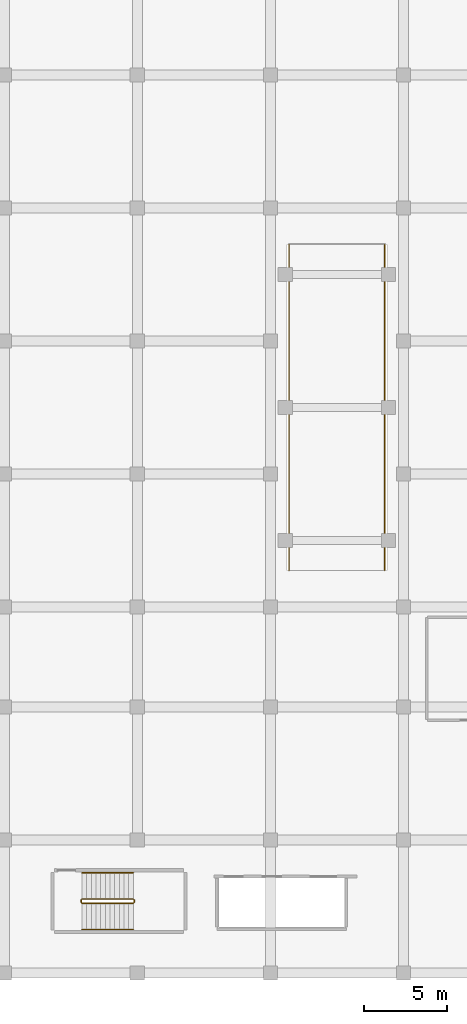
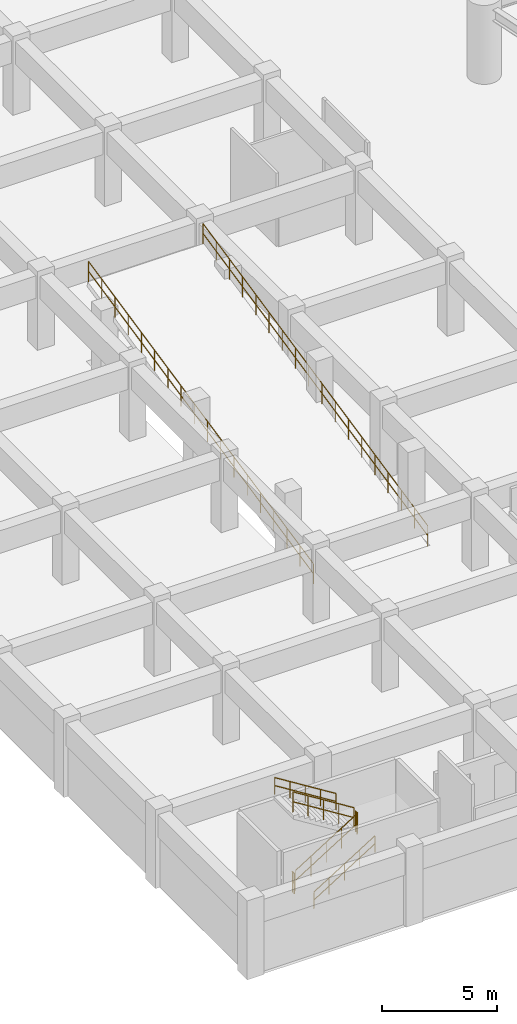
# One storey, part 15 of 20: 8 railings.
"""IFC4 building model written with IfcOpenShell, lengths in metres."""

from ifc_helpers import new_model, si_unit, direction, frame, origin, place, context, subcontext, project, spatial, polyline, outline, extrude, material, type_object, element, save


model = new_model("IFC4")

# Units and contexts
model_context = context("Model", 3, precision=1e-05, world=origin(), true_north=direction((0.0, 1.0)))
body_context = subcontext(model_context, "Body", "Model", "MODEL_VIEW")
ifc_project = project(units=[si_unit("LENGTHUNIT", "METRE"), si_unit("AREAUNIT", "SQUARE_METRE"), si_unit("VOLUMEUNIT", "CUBIC_METRE"), si_unit("PLANEANGLEUNIT", "RADIAN"), si_unit("MASSUNIT", "GRAM", prefix="KILO")], contexts=[model_context])

# Site, building, storey
site_placement = place(None, origin())
site = spatial("IfcSite", under=ifc_project, at=site_placement, CompositionType="ELEMENT")
building_placement = place(site_placement, origin())
building = spatial("IfcBuilding", under=site, at=building_placement, Name="Kelanora Arch Commons", CompositionType="ELEMENT")
storey_placement = place(building_placement, frame((0.0, 0.0, -4.199951171875)))
storey = spatial("IfcBuildingStorey", under=building, at=storey_placement, Name="B01", CompositionType="ELEMENT", Elevation=-4.199951171875)

# Railings
ifc_material_1 = material(Name="Painted steel stair well guard", Category="steel")
railing_type_1 = type_object("IfcRailingType", Name="RAIL-STAIR-GRD", PredefinedType="GUARDRAIL", material=ifc_material_1)
railing_1_placement = place(storey_placement, frame((8.679931640625, 8.18994140625, 0.175048828125)))
element("IfcRailing", 1, at=railing_1_placement, inside=storey, type_object=railing_type_1, Name="B01 ST-M1 stair guard 1", PredefinedType="GUARDRAIL", context=body_context, shape_type="SweptSolid", body=[
    extrude(outline(polyline([(0.02392578125, 0.0), (0.011962890625, 0.020751953125), (-0.011962890625, 0.020751953125), (-0.02392578125, 0.0), (-0.011962890625, -0.020751953125), (0.011962890625, -0.020751953125), (0.02392578125, 0.0)])), frame((0.0, 0.0, 1.076171875), z_axis=(0.848028513186, 0.0, 0.529950602248), x_axis=(0.0, 1.0, 0.0)), (0.0, 0.0, 1.0), 3.632080078125),
    extrude(outline(polyline([(0.02392578125, 0.0), (0.011962890625, 0.020751953125), (-0.011962890625, 0.020751953125), (-0.02392578125, 0.0), (-0.011962890625, -0.020751953125), (0.011962890625, -0.020751953125), (0.02392578125, 0.0)])), frame((0.0, 0.0, 0.550048828125), z_axis=(0.848028513186, 0.0, 0.529950602248), x_axis=(0.0, 1.0, 0.0)), (0.0, 0.0, 1.0), 3.632080078125),
    extrude(outline(polyline([(0.02099609375, 0.0), (0.010498046875, 0.01806640625), (-0.010498046875, 0.01806640625), (-0.02099609375, 0.0), (-0.010498046875, -0.01806640625), (0.010498046875, -0.01806640625), (0.02099609375, 0.0)])), origin(), (0.0, 0.0, 1.0), 1.052001953125),
    extrude(outline(polyline([(0.02099609375, 0.0), (0.010498046875, 0.01806640625), (-0.010498046875, 0.01806640625), (-0.02099609375, 0.0), (-0.010498046875, -0.01806640625), (0.010498046875, -0.01806640625), (0.02099609375, 0.0)])), frame((0.77001953125, 0.0, 0.481201171875)), (0.0, 0.0, 1.0), 1.052001953125),
    extrude(outline(polyline([(0.02099609375, 0.0), (0.010498046875, 0.01806640625), (-0.010498046875, 0.01806640625), (-0.02099609375, 0.0), (-0.010498046875, -0.01806640625), (0.010498046875, -0.01806640625), (0.02099609375, 0.0)])), frame((1.5400390625, 0.0, 0.96240234375)), (0.0, 0.0, 1.0), 1.052001953125),
    extrude(outline(polyline([(0.02099609375, 0.0), (0.010498046875, 0.01806640625), (-0.010498046875, 0.01806640625), (-0.02099609375, 0.0), (-0.010498046875, -0.01806640625), (0.010498046875, -0.01806640625), (0.02099609375, 0.0)])), frame((2.31005859375, 0.0, 1.443603515625)), (0.0, 0.0, 1.0), 1.052001953125),
    extrude(outline(polyline([(0.02099609375, 0.0), (0.010498046875, 0.01806640625), (-0.010498046875, 0.01806640625), (-0.02099609375, 0.0), (-0.010498046875, -0.01806640625), (0.010498046875, -0.01806640625), (0.02099609375, 0.0)])), frame((3.080078125, 0.0, 1.9248046875)), (0.0, 0.0, 1.0), 1.052001953125),
])
railing_2_placement = place(storey_placement, frame((11.81005859375, 8.239990234375, 2.099853515625)))
element("IfcRailing", 2, at=railing_2_placement, inside=storey, type_object=railing_type_1, Name="B01 ST-M1 stair guard 2", PredefinedType="GUARDRAIL", context=body_context, shape_type="SweptSolid", body=[
    extrude(outline(polyline([(0.02392578125, 0.0), (0.011962890625, 0.020751953125), (-0.011962890625, 0.020751953125), (-0.02392578125, 0.0), (-0.011962890625, -0.020751953125), (0.011962890625, -0.020751953125), (0.02392578125, 0.0)])), frame((0.0, 0.0, 1.076171875), z_axis=(0.0, 1.0, 0.0), x_axis=(-1.0, 0.0, 0.0)), (0.0, 0.0, 1.0), 0.14990234375),
    extrude(outline(polyline([(0.02392578125, 0.0), (0.011962890625, 0.020751953125), (-0.011962890625, 0.020751953125), (-0.02392578125, 0.0), (-0.011962890625, -0.020751953125), (0.011962890625, -0.020751953125), (0.02392578125, 0.0)])), frame((0.0, 0.0, 0.550048828125), z_axis=(0.0, 1.0, 0.0), x_axis=(-1.0, 0.0, 0.0)), (0.0, 0.0, 1.0), 0.14990234375),
    extrude(outline(polyline([(0.02099609375, 0.0), (0.010498046875, 0.01806640625), (-0.010498046875, 0.01806640625), (-0.02099609375, 0.0), (-0.010498046875, -0.01806640625), (0.010498046875, -0.01806640625), (0.02099609375, 0.0)])), origin(), (0.0, 0.0, 1.0), 1.052001953125),
    extrude(outline(polyline([(0.02099609375, 0.0), (0.010498046875, 0.01806640625), (-0.010498046875, 0.01806640625), (-0.02099609375, 0.0), (-0.010498046875, -0.01806640625), (0.010498046875, -0.01806640625), (0.02099609375, 0.0)])), frame((0.0, 0.14990234375, 0.0)), (0.0, 0.0, 1.0), 1.052001953125),
])
railing_3_placement = place(storey_placement, frame((11.760009765625, 8.43994140625, 2.27490234375)))
element("IfcRailing", 3, at=railing_3_placement, inside=storey, type_object=railing_type_1, Name="B01 ST-M1 stair guard 3", PredefinedType="GUARDRAIL", context=body_context, shape_type="SweptSolid", body=[
    extrude(outline(polyline([(0.02392578125, 0.0), (0.011962890625, 0.020751953125), (-0.011962890625, 0.020751953125), (-0.02392578125, 0.0), (-0.011962890625, -0.020751953125), (0.011962890625, -0.020751953125), (0.02392578125, 0.0)])), frame((0.0, 0.0, 1.076171875), z_axis=(-0.847998304005, 0.0, 0.529998940003), x_axis=(0.0, -1.0, 0.0)), (0.0, 0.0, 1.0), 3.632080078125),
    extrude(outline(polyline([(0.02392578125, 0.0), (0.011962890625, 0.020751953125), (-0.011962890625, 0.020751953125), (-0.02392578125, 0.0), (-0.011962890625, -0.020751953125), (0.011962890625, -0.020751953125), (0.02392578125, 0.0)])), frame((0.0, 0.0, 0.550048828125), z_axis=(-0.847998304005, 0.0, 0.529998940003), x_axis=(0.0, -1.0, 0.0)), (0.0, 0.0, 1.0), 3.632080078125),
    extrude(outline(polyline([(0.02099609375, 0.0), (0.010498046875, 0.01806640625), (-0.010498046875, 0.01806640625), (-0.02099609375, 0.0), (-0.010498046875, -0.01806640625), (0.010498046875, -0.01806640625), (0.02099609375, 0.0)])), origin(), (0.0, 0.0, 1.0), 1.052001953125),
    extrude(outline(polyline([(0.02099609375, 0.0), (0.010498046875, 0.01806640625), (-0.010498046875, 0.01806640625), (-0.02099609375, 0.0), (-0.010498046875, -0.01806640625), (0.010498046875, -0.01806640625), (0.02099609375, 0.0)])), frame((-0.77001953125, 0.0, 0.481201171875)), (0.0, 0.0, 1.0), 1.052001953125),
    extrude(outline(polyline([(0.02099609375, 0.0), (0.010498046875, 0.01806640625), (-0.010498046875, 0.01806640625), (-0.02099609375, 0.0), (-0.010498046875, -0.01806640625), (0.010498046875, -0.01806640625), (0.02099609375, 0.0)])), frame((-1.5400390625, 0.0, 0.96240234375)), (0.0, 0.0, 1.0), 1.052001953125),
    extrude(outline(polyline([(0.02099609375, 0.0), (0.010498046875, 0.01806640625), (-0.010498046875, 0.01806640625), (-0.02099609375, 0.0), (-0.010498046875, -0.01806640625), (0.010498046875, -0.01806640625), (0.02099609375, 0.0)])), frame((-2.31005859375, 0.0, 1.44384765625)), (0.0, 0.0, 1.0), 1.052001953125),
    extrude(outline(polyline([(0.02099609375, 0.0), (0.010498046875, 0.01806640625), (-0.010498046875, 0.01806640625), (-0.02099609375, 0.0), (-0.010498046875, -0.01806640625), (0.010498046875, -0.01806640625), (0.02099609375, 0.0)])), frame((-3.080078125, 0.0, 1.925048828125)), (0.0, 0.0, 1.0), 1.052001953125),
])
railing_4_placement = place(storey_placement, frame((8.6298828125, 8.239990234375, 0.0)))
element("IfcRailing", 4, at=railing_4_placement, inside=storey, type_object=railing_type_1, Name="B01 ST-M1 stair guard 4", PredefinedType="GUARDRAIL", context=body_context, shape_type="SweptSolid", body=[
    extrude(outline(polyline([(0.02392578125, 0.0), (0.011962890625, 0.020751953125), (-0.011962890625, 0.020751953125), (-0.02392578125, 0.0), (-0.011962890625, -0.020751953125), (0.011962890625, -0.020751953125), (0.02392578125, 0.0)])), frame((0.0, 0.0, 1.076171875), z_axis=(0.0, 1.0, 0.0), x_axis=(-1.0, 0.0, 0.0)), (0.0, 0.0, 1.0), 0.14990234375),
    extrude(outline(polyline([(0.02392578125, 0.0), (0.011962890625, 0.020751953125), (-0.011962890625, 0.020751953125), (-0.02392578125, 0.0), (-0.011962890625, -0.020751953125), (0.011962890625, -0.020751953125), (0.02392578125, 0.0)])), frame((0.0, 0.0, 0.550048828125), z_axis=(0.0, 1.0, 0.0), x_axis=(-1.0, 0.0, 0.0)), (0.0, 0.0, 1.0), 0.14990234375),
    extrude(outline(polyline([(0.02099609375, 0.0), (0.010498046875, 0.01806640625), (-0.010498046875, 0.01806640625), (-0.02099609375, 0.0), (-0.010498046875, -0.01806640625), (0.010498046875, -0.01806640625), (0.02099609375, 0.0)])), origin(), (0.0, 0.0, 1.0), 1.052001953125),
    extrude(outline(polyline([(0.02099609375, 0.0), (0.010498046875, 0.01806640625), (-0.010498046875, 0.01806640625), (-0.02099609375, 0.0), (-0.010498046875, -0.01806640625), (0.010498046875, -0.01806640625), (0.02099609375, 0.0)])), frame((0.0, 0.14990234375, 0.0)), (0.0, 0.0, 1.0), 1.052001953125),
])
railing_5_placement = place(storey_placement, frame((21.1201171875, 28.199951171875, 0.0)))
element("IfcRailing", 5, at=railing_5_placement, inside=storey, type_object=railing_type_1, Name="Vehicle Ramp Guard VEH-B01-L00-W", PredefinedType="GUARDRAIL", context=body_context, shape_type="SweptSolid", body=[
    extrude(outline(polyline([(0.02392578125, 0.0), (0.011962890625, 0.020751953125), (-0.011962890625, 0.020751953125), (-0.02392578125, 0.0), (-0.011962890625, -0.020751953125), (0.011962890625, -0.020751953125), (0.02392578125, 0.0)])), frame((0.0, 0.0, 1.076171875), z_axis=(0.0, 0.977803127024, 0.209525761618), x_axis=(-1.0, 0.0, 0.0)), (0.0, 0.0, 1.0), 20.044921875),
    extrude(outline(polyline([(0.02392578125, 0.0), (0.011962890625, 0.020751953125), (-0.011962890625, 0.020751953125), (-0.02392578125, 0.0), (-0.011962890625, -0.020751953125), (0.011962890625, -0.020751953125), (0.02392578125, 0.0)])), frame((0.0, 0.0, 0.550048828125), z_axis=(0.0, 0.977803127024, 0.209525761618), x_axis=(-1.0, 0.0, 0.0)), (0.0, 0.0, 1.0), 20.044921875),
    extrude(outline(polyline([(0.02099609375, 0.0), (0.010498046875, 0.01806640625), (-0.010498046875, 0.01806640625), (-0.02099609375, 0.0), (-0.010498046875, -0.01806640625), (0.010498046875, -0.01806640625), (0.02099609375, 0.0)])), origin(), (0.0, 0.0, 1.0), 1.052001953125),
    extrude(outline(polyline([(0.02099609375, 0.0), (0.010498046875, 0.01806640625), (-0.010498046875, 0.01806640625), (-0.02099609375, 0.0), (-0.010498046875, -0.01806640625), (0.010498046875, -0.01806640625), (0.02099609375, 0.0)])), frame((0.0, 1.15283203125, 0.2470703125)), (0.0, 0.0, 1.0), 1.052001953125),
    extrude(outline(polyline([(0.02099609375, 0.0), (0.010498046875, 0.01806640625), (-0.010498046875, 0.01806640625), (-0.02099609375, 0.0), (-0.010498046875, -0.01806640625), (0.010498046875, -0.01806640625), (0.02099609375, 0.0)])), frame((0.0, 2.305908203125, 0.494140625)), (0.0, 0.0, 1.0), 1.052001953125),
    extrude(outline(polyline([(0.02099609375, 0.0), (0.010498046875, 0.01806640625), (-0.010498046875, 0.01806640625), (-0.02099609375, 0.0), (-0.010498046875, -0.01806640625), (0.010498046875, -0.01806640625), (0.02099609375, 0.0)])), frame((0.0, 3.458740234375, 0.7412109375)), (0.0, 0.0, 1.0), 1.052001953125),
    extrude(outline(polyline([(0.02099609375, 0.0), (0.010498046875, 0.01806640625), (-0.010498046875, 0.01806640625), (-0.02099609375, 0.0), (-0.010498046875, -0.01806640625), (0.010498046875, -0.01806640625), (0.02099609375, 0.0)])), frame((0.0, 4.61181640625, 0.98828125)), (0.0, 0.0, 1.0), 1.052001953125),
    extrude(outline(polyline([(0.02099609375, 0.0), (0.010498046875, 0.01806640625), (-0.010498046875, 0.01806640625), (-0.02099609375, 0.0), (-0.010498046875, -0.01806640625), (0.010498046875, -0.01806640625), (0.02099609375, 0.0)])), frame((0.0, 5.7646484375, 1.2353515625)), (0.0, 0.0, 1.0), 1.052001953125),
    extrude(outline(polyline([(0.02099609375, 0.0), (0.010498046875, 0.01806640625), (-0.010498046875, 0.01806640625), (-0.02099609375, 0.0), (-0.010498046875, -0.01806640625), (0.010498046875, -0.01806640625), (0.02099609375, 0.0)])), frame((0.0, 6.917724609375, 1.482421875)), (0.0, 0.0, 1.0), 1.052001953125),
    extrude(outline(polyline([(0.02099609375, 0.0), (0.010498046875, 0.01806640625), (-0.010498046875, 0.01806640625), (-0.02099609375, 0.0), (-0.010498046875, -0.01806640625), (0.010498046875, -0.01806640625), (0.02099609375, 0.0)])), frame((0.0, 8.070556640625, 1.7294921875)), (0.0, 0.0, 1.0), 1.052001953125),
    extrude(outline(polyline([(0.02099609375, 0.0), (0.010498046875, 0.01806640625), (-0.010498046875, 0.01806640625), (-0.02099609375, 0.0), (-0.010498046875, -0.01806640625), (0.010498046875, -0.01806640625), (0.02099609375, 0.0)])), frame((0.0, 9.2236328125, 1.9765625)), (0.0, 0.0, 1.0), 1.052001953125),
    extrude(outline(polyline([(0.02099609375, 0.0), (0.010498046875, 0.01806640625), (-0.010498046875, 0.01806640625), (-0.02099609375, 0.0), (-0.010498046875, -0.01806640625), (0.010498046875, -0.01806640625), (0.02099609375, 0.0)])), frame((0.0, 10.37646484375, 2.223388671875)), (0.0, 0.0, 1.0), 1.052001953125),
    extrude(outline(polyline([(0.02099609375, 0.0), (0.010498046875, 0.01806640625), (-0.010498046875, 0.01806640625), (-0.02099609375, 0.0), (-0.010498046875, -0.01806640625), (0.010498046875, -0.01806640625), (0.02099609375, 0.0)])), frame((0.0, 11.529541015625, 2.470458984375)), (0.0, 0.0, 1.0), 1.052001953125),
    extrude(outline(polyline([(0.02099609375, 0.0), (0.010498046875, 0.01806640625), (-0.010498046875, 0.01806640625), (-0.02099609375, 0.0), (-0.010498046875, -0.01806640625), (0.010498046875, -0.01806640625), (0.02099609375, 0.0)])), frame((0.0, 12.682373046875, 2.717529296875)), (0.0, 0.0, 1.0), 1.052001953125),
    extrude(outline(polyline([(0.02099609375, 0.0), (0.010498046875, 0.01806640625), (-0.010498046875, 0.01806640625), (-0.02099609375, 0.0), (-0.010498046875, -0.01806640625), (0.010498046875, -0.01806640625), (0.02099609375, 0.0)])), frame((0.0, 13.83544921875, 2.964599609375)), (0.0, 0.0, 1.0), 1.052001953125),
    extrude(outline(polyline([(0.02099609375, 0.0), (0.010498046875, 0.01806640625), (-0.010498046875, 0.01806640625), (-0.02099609375, 0.0), (-0.010498046875, -0.01806640625), (0.010498046875, -0.01806640625), (0.02099609375, 0.0)])), frame((0.0, 14.98828125, 3.211669921875)), (0.0, 0.0, 1.0), 1.052001953125),
    extrude(outline(polyline([(0.02099609375, 0.0), (0.010498046875, 0.01806640625), (-0.010498046875, 0.01806640625), (-0.02099609375, 0.0), (-0.010498046875, -0.01806640625), (0.010498046875, -0.01806640625), (0.02099609375, 0.0)])), frame((0.0, 16.141357421875, 3.458740234375)), (0.0, 0.0, 1.0), 1.052001953125),
    extrude(outline(polyline([(0.02099609375, 0.0), (0.010498046875, 0.01806640625), (-0.010498046875, 0.01806640625), (-0.02099609375, 0.0), (-0.010498046875, -0.01806640625), (0.010498046875, -0.01806640625), (0.02099609375, 0.0)])), frame((0.0, 17.294189453125, 3.705810546875)), (0.0, 0.0, 1.0), 1.052001953125),
    extrude(outline(polyline([(0.02099609375, 0.0), (0.010498046875, 0.01806640625), (-0.010498046875, 0.01806640625), (-0.02099609375, 0.0), (-0.010498046875, -0.01806640625), (0.010498046875, -0.01806640625), (0.02099609375, 0.0)])), frame((0.0, 18.447265625, 3.952880859375)), (0.0, 0.0, 1.0), 1.052001953125),
    extrude(outline(polyline([(0.02099609375, 0.0), (0.010498046875, 0.01806640625), (-0.010498046875, 0.01806640625), (-0.02099609375, 0.0), (-0.010498046875, -0.01806640625), (0.010498046875, -0.01806640625), (0.02099609375, 0.0)])), frame((0.0, 19.60009765625, 4.199951171875)), (0.0, 0.0, 1.0), 1.052001953125),
])
railing_6_placement = place(storey_placement, frame((26.8798828125, 28.199951171875, 0.0)))
element("IfcRailing", 6, at=railing_6_placement, inside=storey, type_object=railing_type_1, Name="Vehicle Ramp Guard VEH-B01-L00-E", PredefinedType="GUARDRAIL", context=body_context, shape_type="SweptSolid", body=[
    extrude(outline(polyline([(0.02392578125, 0.0), (0.011962890625, 0.020751953125), (-0.011962890625, 0.020751953125), (-0.02392578125, 0.0), (-0.011962890625, -0.020751953125), (0.011962890625, -0.020751953125), (0.02392578125, 0.0)])), frame((0.0, 0.0, 1.076171875), z_axis=(0.0, 0.977803127024, 0.209525761618), x_axis=(-1.0, 0.0, 0.0)), (0.0, 0.0, 1.0), 20.044921875),
    extrude(outline(polyline([(0.02392578125, 0.0), (0.011962890625, 0.020751953125), (-0.011962890625, 0.020751953125), (-0.02392578125, 0.0), (-0.011962890625, -0.020751953125), (0.011962890625, -0.020751953125), (0.02392578125, 0.0)])), frame((0.0, 0.0, 0.550048828125), z_axis=(0.0, 0.977803127024, 0.209525761618), x_axis=(-1.0, 0.0, 0.0)), (0.0, 0.0, 1.0), 20.044921875),
    extrude(outline(polyline([(0.02099609375, 0.0), (0.010498046875, 0.01806640625), (-0.010498046875, 0.01806640625), (-0.02099609375, 0.0), (-0.010498046875, -0.01806640625), (0.010498046875, -0.01806640625), (0.02099609375, 0.0)])), origin(), (0.0, 0.0, 1.0), 1.052001953125),
    extrude(outline(polyline([(0.02099609375, 0.0), (0.010498046875, 0.01806640625), (-0.010498046875, 0.01806640625), (-0.02099609375, 0.0), (-0.010498046875, -0.01806640625), (0.010498046875, -0.01806640625), (0.02099609375, 0.0)])), frame((0.0, 1.15283203125, 0.2470703125)), (0.0, 0.0, 1.0), 1.052001953125),
    extrude(outline(polyline([(0.02099609375, 0.0), (0.010498046875, 0.01806640625), (-0.010498046875, 0.01806640625), (-0.02099609375, 0.0), (-0.010498046875, -0.01806640625), (0.010498046875, -0.01806640625), (0.02099609375, 0.0)])), frame((0.0, 2.305908203125, 0.494140625)), (0.0, 0.0, 1.0), 1.052001953125),
    extrude(outline(polyline([(0.02099609375, 0.0), (0.010498046875, 0.01806640625), (-0.010498046875, 0.01806640625), (-0.02099609375, 0.0), (-0.010498046875, -0.01806640625), (0.010498046875, -0.01806640625), (0.02099609375, 0.0)])), frame((0.0, 3.458740234375, 0.7412109375)), (0.0, 0.0, 1.0), 1.052001953125),
    extrude(outline(polyline([(0.02099609375, 0.0), (0.010498046875, 0.01806640625), (-0.010498046875, 0.01806640625), (-0.02099609375, 0.0), (-0.010498046875, -0.01806640625), (0.010498046875, -0.01806640625), (0.02099609375, 0.0)])), frame((0.0, 4.61181640625, 0.98828125)), (0.0, 0.0, 1.0), 1.052001953125),
    extrude(outline(polyline([(0.02099609375, 0.0), (0.010498046875, 0.01806640625), (-0.010498046875, 0.01806640625), (-0.02099609375, 0.0), (-0.010498046875, -0.01806640625), (0.010498046875, -0.01806640625), (0.02099609375, 0.0)])), frame((0.0, 5.7646484375, 1.2353515625)), (0.0, 0.0, 1.0), 1.052001953125),
    extrude(outline(polyline([(0.02099609375, 0.0), (0.010498046875, 0.01806640625), (-0.010498046875, 0.01806640625), (-0.02099609375, 0.0), (-0.010498046875, -0.01806640625), (0.010498046875, -0.01806640625), (0.02099609375, 0.0)])), frame((0.0, 6.917724609375, 1.482421875)), (0.0, 0.0, 1.0), 1.052001953125),
    extrude(outline(polyline([(0.02099609375, 0.0), (0.010498046875, 0.01806640625), (-0.010498046875, 0.01806640625), (-0.02099609375, 0.0), (-0.010498046875, -0.01806640625), (0.010498046875, -0.01806640625), (0.02099609375, 0.0)])), frame((0.0, 8.070556640625, 1.7294921875)), (0.0, 0.0, 1.0), 1.052001953125),
    extrude(outline(polyline([(0.02099609375, 0.0), (0.010498046875, 0.01806640625), (-0.010498046875, 0.01806640625), (-0.02099609375, 0.0), (-0.010498046875, -0.01806640625), (0.010498046875, -0.01806640625), (0.02099609375, 0.0)])), frame((0.0, 9.2236328125, 1.9765625)), (0.0, 0.0, 1.0), 1.052001953125),
    extrude(outline(polyline([(0.02099609375, 0.0), (0.010498046875, 0.01806640625), (-0.010498046875, 0.01806640625), (-0.02099609375, 0.0), (-0.010498046875, -0.01806640625), (0.010498046875, -0.01806640625), (0.02099609375, 0.0)])), frame((0.0, 10.37646484375, 2.223388671875)), (0.0, 0.0, 1.0), 1.052001953125),
    extrude(outline(polyline([(0.02099609375, 0.0), (0.010498046875, 0.01806640625), (-0.010498046875, 0.01806640625), (-0.02099609375, 0.0), (-0.010498046875, -0.01806640625), (0.010498046875, -0.01806640625), (0.02099609375, 0.0)])), frame((0.0, 11.529541015625, 2.470458984375)), (0.0, 0.0, 1.0), 1.052001953125),
    extrude(outline(polyline([(0.02099609375, 0.0), (0.010498046875, 0.01806640625), (-0.010498046875, 0.01806640625), (-0.02099609375, 0.0), (-0.010498046875, -0.01806640625), (0.010498046875, -0.01806640625), (0.02099609375, 0.0)])), frame((0.0, 12.682373046875, 2.717529296875)), (0.0, 0.0, 1.0), 1.052001953125),
    extrude(outline(polyline([(0.02099609375, 0.0), (0.010498046875, 0.01806640625), (-0.010498046875, 0.01806640625), (-0.02099609375, 0.0), (-0.010498046875, -0.01806640625), (0.010498046875, -0.01806640625), (0.02099609375, 0.0)])), frame((0.0, 13.83544921875, 2.964599609375)), (0.0, 0.0, 1.0), 1.052001953125),
    extrude(outline(polyline([(0.02099609375, 0.0), (0.010498046875, 0.01806640625), (-0.010498046875, 0.01806640625), (-0.02099609375, 0.0), (-0.010498046875, -0.01806640625), (0.010498046875, -0.01806640625), (0.02099609375, 0.0)])), frame((0.0, 14.98828125, 3.211669921875)), (0.0, 0.0, 1.0), 1.052001953125),
    extrude(outline(polyline([(0.02099609375, 0.0), (0.010498046875, 0.01806640625), (-0.010498046875, 0.01806640625), (-0.02099609375, 0.0), (-0.010498046875, -0.01806640625), (0.010498046875, -0.01806640625), (0.02099609375, 0.0)])), frame((0.0, 16.141357421875, 3.458740234375)), (0.0, 0.0, 1.0), 1.052001953125),
    extrude(outline(polyline([(0.02099609375, 0.0), (0.010498046875, 0.01806640625), (-0.010498046875, 0.01806640625), (-0.02099609375, 0.0), (-0.010498046875, -0.01806640625), (0.010498046875, -0.01806640625), (0.02099609375, 0.0)])), frame((0.0, 17.294189453125, 3.705810546875)), (0.0, 0.0, 1.0), 1.052001953125),
    extrude(outline(polyline([(0.02099609375, 0.0), (0.010498046875, 0.01806640625), (-0.010498046875, 0.01806640625), (-0.02099609375, 0.0), (-0.010498046875, -0.01806640625), (0.010498046875, -0.01806640625), (0.02099609375, 0.0)])), frame((0.0, 18.447265625, 3.952880859375)), (0.0, 0.0, 1.0), 1.052001953125),
    extrude(outline(polyline([(0.02099609375, 0.0), (0.010498046875, 0.01806640625), (-0.010498046875, 0.01806640625), (-0.02099609375, 0.0), (-0.010498046875, -0.01806640625), (0.010498046875, -0.01806640625), (0.02099609375, 0.0)])), frame((0.0, 19.60009765625, 4.199951171875)), (0.0, 0.0, 1.0), 1.052001953125),
])
ifc_material_2 = material(Name="Brushed stainless steel stair handrail", Category="steel")
railing_type_2 = type_object("IfcRailingType", Name="RAIL-STAIR-HND", PredefinedType="HANDRAIL", material=ifc_material_2)
railing_7_placement = place(storey_placement, frame((8.679931640625, 6.610107421875, 0.175048828125)))
element("IfcRailing", 7, at=railing_7_placement, inside=storey, type_object=railing_type_2, Name="B01 ST-M1 stair handrail 1", PredefinedType="HANDRAIL", context=body_context, shape_type="SweptSolid", body=[
    extrude(outline(polyline([(0.02392578125, 0.0), (0.011962890625, 0.020751953125), (-0.011962890625, 0.020751953125), (-0.02392578125, 0.0), (-0.011962890625, -0.020751953125), (0.011962890625, -0.020751953125), (0.02392578125, 0.0)])), frame((0.0, 0.0, 0.8759765625), z_axis=(0.848028513186, 0.0, 0.529950602248), x_axis=(0.0, 1.0, 0.0)), (0.0, 0.0, 1.0), 3.632080078125),
    extrude(outline(polyline([(0.02392578125, 0.0), (0.011962890625, 0.020751953125), (-0.011962890625, 0.020751953125), (-0.02392578125, 0.0), (-0.011962890625, -0.020751953125), (0.011962890625, -0.020751953125), (0.02392578125, 0.0)])), frame((0.0, 0.0, 0.449951171875), z_axis=(0.848028513186, 0.0, 0.529950602248), x_axis=(0.0, 1.0, 0.0)), (0.0, 0.0, 1.0), 3.632080078125),
    extrude(outline(polyline([(0.02099609375, 0.0), (0.010498046875, 0.01806640625), (-0.010498046875, 0.01806640625), (-0.02099609375, 0.0), (-0.010498046875, -0.01806640625), (0.010498046875, -0.01806640625), (0.02099609375, 0.0)])), origin(), (0.0, 0.0, 1.0), 0.851806640625),
    extrude(outline(polyline([(0.02099609375, 0.0), (0.010498046875, 0.01806640625), (-0.010498046875, 0.01806640625), (-0.02099609375, 0.0), (-0.010498046875, -0.01806640625), (0.010498046875, -0.01806640625), (0.02099609375, 0.0)])), frame((0.77001953125, 0.0, 0.481201171875)), (0.0, 0.0, 1.0), 0.851806640625),
    extrude(outline(polyline([(0.02099609375, 0.0), (0.010498046875, 0.01806640625), (-0.010498046875, 0.01806640625), (-0.02099609375, 0.0), (-0.010498046875, -0.01806640625), (0.010498046875, -0.01806640625), (0.02099609375, 0.0)])), frame((1.5400390625, 0.0, 0.96240234375)), (0.0, 0.0, 1.0), 0.851806640625),
    extrude(outline(polyline([(0.02099609375, 0.0), (0.010498046875, 0.01806640625), (-0.010498046875, 0.01806640625), (-0.02099609375, 0.0), (-0.010498046875, -0.01806640625), (0.010498046875, -0.01806640625), (0.02099609375, 0.0)])), frame((2.31005859375, 0.0, 1.443603515625)), (0.0, 0.0, 1.0), 0.851806640625),
    extrude(outline(polyline([(0.02099609375, 0.0), (0.010498046875, 0.01806640625), (-0.010498046875, 0.01806640625), (-0.02099609375, 0.0), (-0.010498046875, -0.01806640625), (0.010498046875, -0.01806640625), (0.02099609375, 0.0)])), frame((3.080078125, 0.0, 1.9248046875)), (0.0, 0.0, 1.0), 0.851806640625),
])
railing_8_placement = place(storey_placement, frame((11.760009765625, 10.02001953125, 2.27490234375)))
element("IfcRailing", 8, at=railing_8_placement, inside=storey, type_object=railing_type_2, Name="B01 ST-M1 stair handrail 2", PredefinedType="HANDRAIL", context=body_context, shape_type="SweptSolid", body=[
    extrude(outline(polyline([(0.02392578125, 0.0), (0.011962890625, 0.020751953125), (-0.011962890625, 0.020751953125), (-0.02392578125, 0.0), (-0.011962890625, -0.020751953125), (0.011962890625, -0.020751953125), (0.02392578125, 0.0)])), frame((0.0, 0.0, 0.8759765625), z_axis=(-0.847998304005, 0.0, 0.529998940003), x_axis=(0.0, -1.0, 0.0)), (0.0, 0.0, 1.0), 3.632080078125),
    extrude(outline(polyline([(0.02392578125, 0.0), (0.011962890625, 0.020751953125), (-0.011962890625, 0.020751953125), (-0.02392578125, 0.0), (-0.011962890625, -0.020751953125), (0.011962890625, -0.020751953125), (0.02392578125, 0.0)])), frame((0.0, 0.0, 0.449951171875), z_axis=(-0.847998304005, 0.0, 0.529998940003), x_axis=(0.0, -1.0, 0.0)), (0.0, 0.0, 1.0), 3.632080078125),
    extrude(outline(polyline([(0.02099609375, 0.0), (0.010498046875, 0.01806640625), (-0.010498046875, 0.01806640625), (-0.02099609375, 0.0), (-0.010498046875, -0.01806640625), (0.010498046875, -0.01806640625), (0.02099609375, 0.0)])), origin(), (0.0, 0.0, 1.0), 0.851806640625),
    extrude(outline(polyline([(0.02099609375, 0.0), (0.010498046875, 0.01806640625), (-0.010498046875, 0.01806640625), (-0.02099609375, 0.0), (-0.010498046875, -0.01806640625), (0.010498046875, -0.01806640625), (0.02099609375, 0.0)])), frame((-0.77001953125, 0.0, 0.481201171875)), (0.0, 0.0, 1.0), 0.851806640625),
    extrude(outline(polyline([(0.02099609375, 0.0), (0.010498046875, 0.01806640625), (-0.010498046875, 0.01806640625), (-0.02099609375, 0.0), (-0.010498046875, -0.01806640625), (0.010498046875, -0.01806640625), (0.02099609375, 0.0)])), frame((-1.5400390625, 0.0, 0.96240234375)), (0.0, 0.0, 1.0), 0.851806640625),
    extrude(outline(polyline([(0.02099609375, 0.0), (0.010498046875, 0.01806640625), (-0.010498046875, 0.01806640625), (-0.02099609375, 0.0), (-0.010498046875, -0.01806640625), (0.010498046875, -0.01806640625), (0.02099609375, 0.0)])), frame((-2.31005859375, 0.0, 1.44384765625)), (0.0, 0.0, 1.0), 0.851806640625),
    extrude(outline(polyline([(0.02099609375, 0.0), (0.010498046875, 0.01806640625), (-0.010498046875, 0.01806640625), (-0.02099609375, 0.0), (-0.010498046875, -0.01806640625), (0.010498046875, -0.01806640625), (0.02099609375, 0.0)])), frame((-3.080078125, 0.0, 1.925048828125)), (0.0, 0.0, 1.0), 0.851806640625),
])

save(model, "model.ifc")
